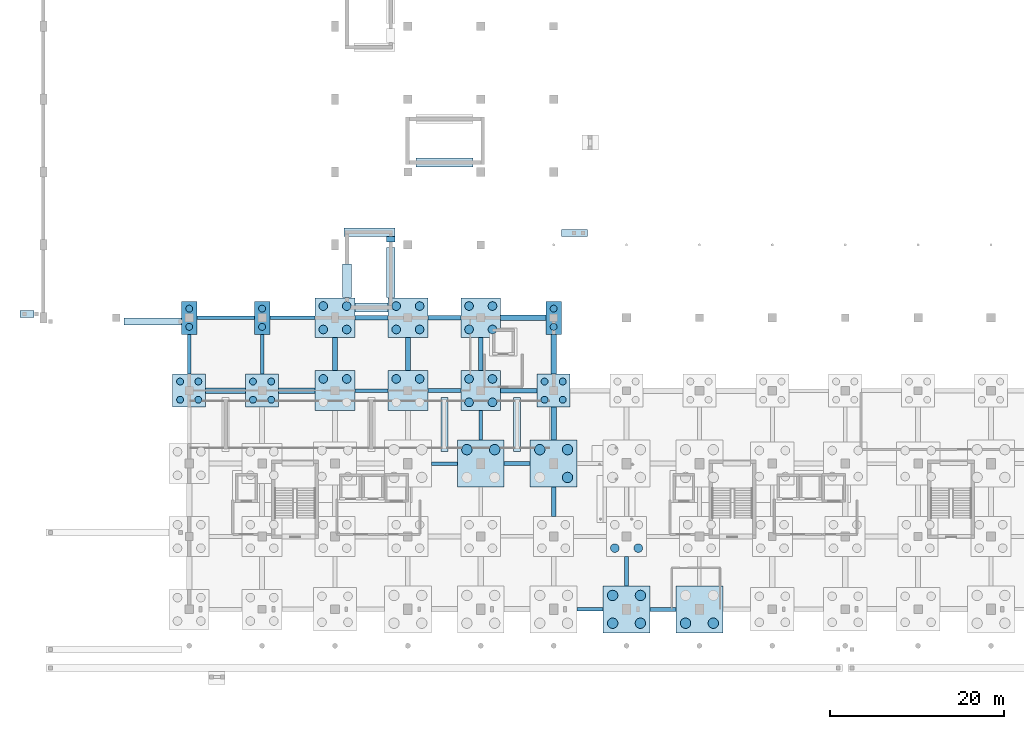
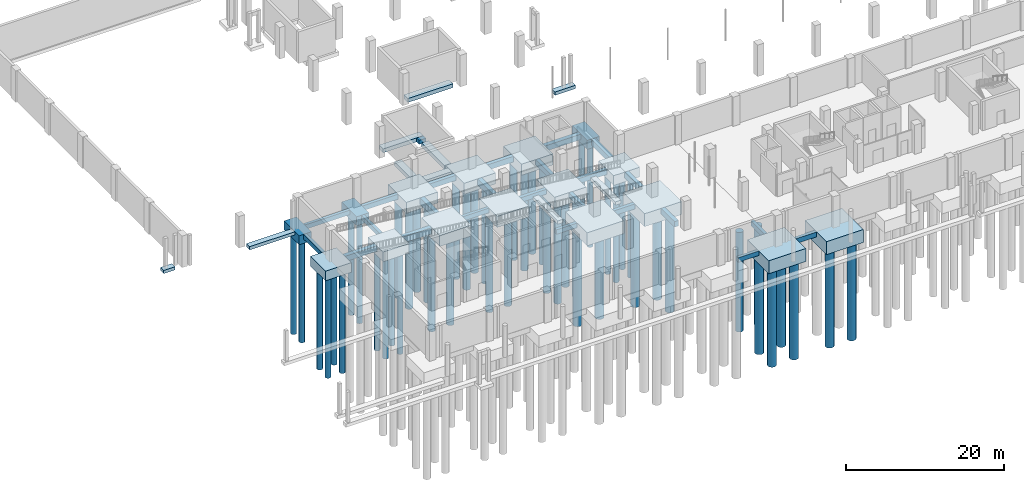
# One storey, part 2 of 39: 51 footings, 51 piles.
"""IFC4 building model written with IfcOpenShell, lengths in metres."""

from ifc_helpers import new_model, si_unit, derived_unit, direction, frame, origin, origin_2d, place, context, subcontext, project, spatial, polyline, rectangle, circle, outline, extrude, material, material_profile, profile_set, type_object, element, save


model = new_model("IFC4")

# Units and contexts
model_context = context("Model", 3, precision=1e-05, world=origin(), true_north=direction((0.0, 1.0)))
body_context = subcontext(model_context, "Body", "Model", "MODEL_VIEW")
ifc_project = project(units=[si_unit("LENGTHUNIT", "METRE"), si_unit("AREAUNIT", "SQUARE_METRE"), si_unit("VOLUMEUNIT", "CUBIC_METRE"), si_unit("PLANEANGLEUNIT", "RADIAN"), si_unit("MASSUNIT", "GRAM", prefix="KILO"), derived_unit("THERMALTRANSMITTANCEUNIT", [(si_unit("POWERUNIT", "WATT"), 1), (si_unit("LENGTHUNIT", "METRE"), -2), (si_unit("THERMODYNAMICTEMPERATUREUNIT", "KELVIN"), -1)])], contexts=[model_context])

# Site, building, storey
site_placement = place(None, origin())
site = spatial("IfcSite", under=ifc_project, at=site_placement, CompositionType="ELEMENT")
building_placement = place(site_placement, origin())
building = spatial("IfcBuilding", under=site, at=building_placement, Name="Barrovel Congress Hotel", CompositionType="ELEMENT")
storey_placement = place(building_placement, frame((0.0, 0.0, -4.5)))
storey = spatial("IfcBuildingStorey", under=building, at=storey_placement, Name="B01", CompositionType="ELEMENT", Elevation=-4.5)

# Footings
ifc_material_1 = material(Name="Concrete C40", Category="concrete")
footing_type_1 = type_object("IfcFootingType", Name="CAP-PC-04", PredefinedType="PILE_CAP", material=ifc_material_1)
for number, where, z_axis, x_axis, name in (
    (1, (16.800048828125, 37.800048828125, -1.760009765625), (0.0, 0.0, 1.0), (1.0, 0.0, 0.0), "CAP:B01:16.8:37.8"),
    (2, (25.199951171875, 37.800048828125, -1.760009765625), (0.0, 0.0, 1.0), (1.0, 0.0, 0.0), "CAP:B01:25.2:37.8"),
    (3, (58.800048828125, 37.800048828125, -1.760009765625), (0.0, 0.0, 1.0), (1.0, 0.0, 0.0), "CAP:B01:58.8:37.8"),
):
    element("IfcFooting", number, at=place(storey_placement, frame(where, z_axis=z_axis, x_axis=x_axis)), inside=storey, type_object=footing_type_1, Name=name, PredefinedType="PILE_CAP", context=body_context, shape_type="SweptSolid", body=[
        extrude(rectangle(XDim=1.800048828125, YDim=3.800048828125, at=origin_2d()), origin(), (0.0, 0.0, 1.0), 1.39990234375),
    ])
footing_type_2 = type_object("IfcFootingType", Name="CAP-PC-07", PredefinedType="PILE_CAP", material=ifc_material_1)
for number, where, z_axis, x_axis, name in (
    (4, (16.800048828125, 29.39990234375, -1.860107421875), (0.0, 0.0, 1.0), (1.0, 0.0, 0.0), "CAP:B01:16.8:29.4"),
    (5, (25.199951171875, 29.39990234375, -1.860107421875), (0.0, 0.0, 1.0), (1.0, 0.0, 0.0), "CAP:B01:25.2:29.4"),
    (6, (58.800048828125, 29.39990234375, -1.860107421875), (0.0, 0.0, 1.0), (1.0, 0.0, 0.0), "CAP:B01:58.8:29.4"),
):
    element("IfcFooting", number, at=place(storey_placement, frame(where, z_axis=z_axis, x_axis=x_axis)), inside=storey, type_object=footing_type_2, Name=name, PredefinedType="PILE_CAP", context=body_context, shape_type="SweptSolid", body=[
        extrude(rectangle(XDim=3.800048828125, YDim=3.800048828125, at=origin_2d()), origin(), (0.0, 0.0, 1.0), 1.5),
    ])
footing_type_3 = type_object("IfcFootingType", Name="CAP-PC-09", PredefinedType="PILE_CAP", material=ifc_material_1)
for number, where, z_axis, x_axis, name in (
    (7, (33.60009765625, 29.39990234375, -2.06005859375), (0.0, 0.0, 1.0), (1.0, 0.0, 0.0), "CAP:B01:33.6:29.4"),
    (8, (33.60009765625, 37.800048828125, -2.06005859375), (0.0, 0.0, 1.0), (1.0, 0.0, 0.0), "CAP:B01:33.6:37.8"),
    (9, (42.0, 29.39990234375, -2.06005859375), (0.0, 0.0, 1.0), (1.0, 0.0, 0.0), "CAP:B01:42.0:29.4"),
    (10, (42.0, 37.800048828125, -2.06005859375), (0.0, 0.0, 1.0), (1.0, 0.0, 0.0), "CAP:B01:42.0:37.8"),
    (11, (50.39990234375, 29.39990234375, -2.06005859375), (0.0, 0.0, 1.0), (1.0, 0.0, 0.0), "CAP:B01:50.4:29.4"),
    (12, (50.39990234375, 37.800048828125, -2.06005859375), (0.0, 0.0, 1.0), (1.0, 0.0, 0.0), "CAP:B01:50.4:37.8"),
):
    element("IfcFooting", number, at=place(storey_placement, frame(where, z_axis=z_axis, x_axis=x_axis)), inside=storey, type_object=footing_type_3, Name=name, PredefinedType="PILE_CAP", context=body_context, shape_type="SweptSolid", body=[
        extrude(rectangle(XDim=4.60009765625, YDim=4.60009765625, at=origin_2d()), origin(), (0.0, 0.0, 1.0), 1.699951171875),
    ])
footing_type_4 = type_object("IfcFootingType", Name="CAP-PC-11", PredefinedType="PILE_CAP", material=ifc_material_1)
for number, where, z_axis, x_axis, name in (
    (13, (50.39990234375, 21.0, -2.360107421875), (0.0, 0.0, 1.0), (1.0, 0.0, 0.0), "CAP:B01:50.4:21.0"),
    (14, (58.800048828125, 21.0, -2.360107421875), (0.0, 0.0, 1.0), (1.0, 0.0, 0.0), "CAP:B01:58.8:21.0"),
    (15, (67.199951171875, 4.199951171875, -2.360107421875), (0.0, 0.0, 1.0), (1.0, 0.0, 0.0), "CAP:B01:67.2:4.2"),
    (16, (75.60009765625, 4.199951171875, -2.360107421875), (0.0, 0.0, 1.0), (1.0, 0.0, 0.0), "CAP:B01:75.6:4.2"),
):
    element("IfcFooting", number, at=place(storey_placement, frame(where, z_axis=z_axis, x_axis=x_axis)), inside=storey, type_object=footing_type_4, Name=name, PredefinedType="PILE_CAP", context=body_context, shape_type="SweptSolid", body=[
        extrude(rectangle(XDim=5.39990234375, YDim=5.39990234375, at=origin_2d()), origin(), (0.0, 0.0, 1.0), 2.0),
    ])
footing_type_5 = type_object("IfcFootingType", Name="FB-400x700", PredefinedType="FOOTING_BEAM", material=ifc_material_1)
footing_1_placement = place(storey_placement, frame((0.0, 0.0, -1.06005859375)))
element("IfcFooting", 17, at=footing_1_placement, inside=storey, type_object=footing_type_5, Name="FBX:B01:4.2:58.8-67.2", PredefinedType="FOOTING_BEAM", context=body_context, shape_type="SweptSolid", body=[
    extrude(outline(polyline([(61.5, 4.0), (64.5, 4.0), (64.5, 4.39990234375), (61.5, 4.39990234375), (61.5, 4.0)])), origin(), (0.0, 0.0, 1.0), 0.699951171875),
])
footing_2_placement = place(storey_placement, frame((0.0, 0.0, -1.06005859375)))
element("IfcFooting", 18, at=footing_2_placement, inside=storey, type_object=footing_type_5, Name="FBX:B01:21.0:42.0-50.4", PredefinedType="FOOTING_BEAM", context=body_context, shape_type="SweptSolid", body=[
    extrude(outline(polyline([(44.699951171875, 20.800048828125), (47.699951171875, 20.800048828125), (47.699951171875, 21.199951171875), (44.699951171875, 21.199951171875), (44.699951171875, 20.800048828125)])), origin(), (0.0, 0.0, 1.0), 0.699951171875),
])
footing_3_placement = place(storey_placement, frame((0.0, 0.0, -1.06005859375)))
element("IfcFooting", 19, at=footing_3_placement, inside=storey, type_object=footing_type_5, Name="FBX:B01:29.4:33.6-42.0", PredefinedType="FOOTING_BEAM", context=body_context, shape_type="SweptSolid", body=[
    extrude(outline(polyline([(35.89990234375, 29.199951171875), (39.699951171875, 29.199951171875), (39.699951171875, 29.60009765625), (35.89990234375, 29.60009765625), (35.89990234375, 29.199951171875)])), origin(), (0.0, 0.0, 1.0), 0.699951171875),
])
footing_4_placement = place(storey_placement, frame((0.0, 0.0, -1.06005859375)))
element("IfcFooting", 20, at=footing_4_placement, inside=storey, type_object=footing_type_5, Name="FBX:B01:37.8:16.8-25.2", PredefinedType="FOOTING_BEAM", context=body_context, shape_type="SweptSolid", body=[
    extrude(outline(polyline([(17.699951171875, 37.60009765625), (24.300048828125, 37.60009765625), (24.300048828125, 38.0), (17.699951171875, 38.0), (17.699951171875, 37.60009765625)])), origin(), (0.0, 0.0, 1.0), 0.699951171875),
])
footing_5_placement = place(storey_placement, frame((0.0, 0.0, -1.06005859375)))
element("IfcFooting", 21, at=footing_5_placement, inside=storey, type_object=footing_type_5, Name="FBY:B01:25.2:29.4-37.8", PredefinedType="FOOTING_BEAM", context=body_context, shape_type="SweptSolid", body=[
    extrude(outline(polyline([(25.0, 31.300048828125), (25.39990234375, 31.300048828125), (25.39990234375, 35.89990234375), (25.0, 35.89990234375), (25.0, 31.300048828125)])), origin(), (0.0, 0.0, 1.0), 0.699951171875),
])
footing_type_6 = type_object("IfcFootingType", Name="FB-450x750", PredefinedType="FOOTING_BEAM", material=ifc_material_1)
footing_6_placement = place(storey_placement, frame((0.0, 0.0, -1.110107421875)))
element("IfcFooting", 22, at=footing_6_placement, inside=storey, type_object=footing_type_6, Name="FBX:B01:4.2:67.2-75.6", PredefinedType="FOOTING_BEAM", context=body_context, shape_type="SweptSolid", body=[
    extrude(outline(polyline([(69.89990234375, 3.97509765625), (72.89990234375, 3.97509765625), (72.89990234375, 4.425048828125), (69.89990234375, 4.425048828125), (69.89990234375, 3.97509765625)])), origin(), (0.0, 0.0, 1.0), 0.75),
])
footing_7_placement = place(storey_placement, frame((0.0, 0.0, -1.110107421875)))
element("IfcFooting", 23, at=footing_7_placement, inside=storey, type_object=footing_type_6, Name="FBX:B01:21.0:50.4-58.8", PredefinedType="FOOTING_BEAM", context=body_context, shape_type="SweptSolid", body=[
    extrude(outline(polyline([(53.10009765625, 20.77490234375), (56.10009765625, 20.77490234375), (56.10009765625, 21.22509765625), (53.10009765625, 21.22509765625), (53.10009765625, 20.77490234375)])), origin(), (0.0, 0.0, 1.0), 0.75),
])
footing_8_placement = place(storey_placement, frame((0.0, 0.0, -1.110107421875)))
element("IfcFooting", 24, at=footing_8_placement, inside=storey, type_object=footing_type_6, Name="FBX:B01:29.4:42.0-50.4", PredefinedType="FOOTING_BEAM", context=body_context, shape_type="SweptSolid", body=[
    extrude(outline(polyline([(44.300048828125, 29.175048828125), (48.10009765625, 29.175048828125), (48.10009765625, 29.625), (44.300048828125, 29.625), (44.300048828125, 29.175048828125)])), origin(), (0.0, 0.0, 1.0), 0.75),
])
footing_9_placement = place(storey_placement, frame((0.0, 0.0, -1.110107421875)))
element("IfcFooting", 25, at=footing_9_placement, inside=storey, type_object=footing_type_6, Name="FBX:B01:37.8:25.2-33.6", PredefinedType="FOOTING_BEAM", context=body_context, shape_type="SweptSolid", body=[
    extrude(outline(polyline([(26.10009765625, 37.574951171875), (31.300048828125, 37.574951171875), (31.300048828125, 38.02490234375), (26.10009765625, 38.02490234375), (26.10009765625, 37.574951171875)])), origin(), (0.0, 0.0, 1.0), 0.75),
])
footing_10_placement = place(storey_placement, frame((0.0, 0.0, -1.110107421875)))
element("IfcFooting", 26, at=footing_10_placement, inside=storey, type_object=footing_type_6, Name="FBY:B01:16.8:29.4-37.8", PredefinedType="FOOTING_BEAM", context=body_context, shape_type="SweptSolid", body=[
    extrude(outline(polyline([(16.574951171875, 31.300048828125), (17.02490234375, 31.300048828125), (17.02490234375, 35.89990234375), (16.574951171875, 35.89990234375), (16.574951171875, 31.300048828125)])), origin(), (0.0, 0.0, 1.0), 0.75),
])
footing_11_placement = place(storey_placement, frame((0.0, 0.0, -1.110107421875)))
element("IfcFooting", 27, at=footing_11_placement, inside=storey, type_object=footing_type_6, Name="FBY:B01:50.4:21.0-29.4", PredefinedType="FOOTING_BEAM", context=body_context, shape_type="SweptSolid", body=[
    extrude(outline(polyline([(50.175048828125, 23.699951171875), (50.625, 23.699951171875), (50.625, 27.10009765625), (50.175048828125, 27.10009765625), (50.175048828125, 23.699951171875)])), origin(), (0.0, 0.0, 1.0), 0.75),
])
footing_12_placement = place(storey_placement, frame((0.0, 0.0, -1.110107421875)))
element("IfcFooting", 28, at=footing_12_placement, inside=storey, type_object=footing_type_6, Name="FBY:B01:67.2:4.2-12.6", PredefinedType="FOOTING_BEAM", context=body_context, shape_type="SweptSolid", body=[
    extrude(outline(polyline([(66.97509765625, 6.89990234375), (67.425048828125, 6.89990234375), (67.425048828125, 10.300048828125), (66.97509765625, 10.300048828125), (66.97509765625, 6.89990234375)])), origin(), (0.0, 0.0, 1.0), 0.75),
])
footing_type_7 = type_object("IfcFootingType", Name="FB-500x800", PredefinedType="FOOTING_BEAM", material=ifc_material_1)
footing_13_placement = place(storey_placement, frame((0.0, 0.0, -1.159912109375)))
element("IfcFooting", 29, at=footing_13_placement, inside=storey, type_object=footing_type_7, Name="FBX:B01:29.4:50.4-58.8", PredefinedType="FOOTING_BEAM", context=body_context, shape_type="SweptSolid", body=[
    extrude(outline(polyline([(52.699951171875, 29.14990234375), (56.89990234375, 29.14990234375), (56.89990234375, 29.64990234375), (52.699951171875, 29.64990234375), (52.699951171875, 29.14990234375)])), origin(), (0.0, 0.0, 1.0), 0.7998046875),
])
footing_14_placement = place(storey_placement, frame((0.0, 0.0, -1.159912109375)))
element("IfcFooting", 30, at=footing_14_placement, inside=storey, type_object=footing_type_7, Name="FBX:B01:37.8:33.6-42.0", PredefinedType="FOOTING_BEAM", context=body_context, shape_type="SweptSolid", body=[
    extrude(outline(polyline([(35.89990234375, 37.550048828125), (39.699951171875, 37.550048828125), (39.699951171875, 38.050048828125), (35.89990234375, 38.050048828125), (35.89990234375, 37.550048828125)])), origin(), (0.0, 0.0, 1.0), 0.7998046875),
])
footing_15_placement = place(storey_placement, frame((0.0, 0.0, -1.159912109375)))
element("IfcFooting", 31, at=footing_15_placement, inside=storey, type_object=footing_type_7, Name="FBY:B01:50.4:29.4-37.8", PredefinedType="FOOTING_BEAM", context=body_context, shape_type="SweptSolid", body=[
    extrude(outline(polyline([(50.14990234375, 31.699951171875), (50.64990234375, 31.699951171875), (50.64990234375, 35.5), (50.14990234375, 35.5), (50.14990234375, 31.699951171875)])), origin(), (0.0, 0.0, 1.0), 0.7998046875),
])
footing_type_8 = type_object("IfcFootingType", Name="FB-550x850", PredefinedType="FOOTING_BEAM", material=ifc_material_1)
footing_16_placement = place(storey_placement, frame((0.0, 0.0, -1.2099609375)))
element("IfcFooting", 32, at=footing_16_placement, inside=storey, type_object=footing_type_8, Name="FBX:B01:37.8:42.0-50.4", PredefinedType="FOOTING_BEAM", context=body_context, shape_type="SweptSolid", body=[
    extrude(outline(polyline([(44.300048828125, 37.52490234375), (48.10009765625, 37.52490234375), (48.10009765625, 38.074951171875), (44.300048828125, 38.074951171875), (44.300048828125, 37.52490234375)])), origin(), (0.0, 0.0, 1.0), 0.849853515625),
])
footing_17_placement = place(storey_placement, frame((0.0, 0.0, -1.2099609375)))
element("IfcFooting", 33, at=footing_17_placement, inside=storey, type_object=footing_type_8, Name="FBY:B01:58.8:12.6-21.0", PredefinedType="FOOTING_BEAM", context=body_context, shape_type="SweptSolid", body=[
    extrude(outline(polyline([(58.52490234375, 14.89990234375), (59.074951171875, 14.89990234375), (59.074951171875, 18.300048828125), (58.52490234375, 18.300048828125), (58.52490234375, 14.89990234375)])), origin(), (0.0, 0.0, 1.0), 0.849853515625),
])
footing_type_9 = type_object("IfcFootingType", Name="FB-600x850", PredefinedType="FOOTING_BEAM", material=ifc_material_1)
footing_18_placement = place(storey_placement, frame((0.0, 0.0, -1.2099609375)))
element("IfcFooting", 34, at=footing_18_placement, inside=storey, type_object=footing_type_9, Name="FBX:B01:29.4:16.8-25.2", PredefinedType="FOOTING_BEAM", context=body_context, shape_type="SweptSolid", body=[
    extrude(outline(polyline([(18.699951171875, 29.10009765625), (23.300048828125, 29.10009765625), (23.300048828125, 29.699951171875), (18.699951171875, 29.699951171875), (18.699951171875, 29.10009765625)])), origin(), (0.0, 0.0, 1.0), 0.849853515625),
])
footing_19_placement = place(storey_placement, frame((0.0, 0.0, -1.2099609375)))
element("IfcFooting", 35, at=footing_19_placement, inside=storey, type_object=footing_type_9, Name="FBX:B01:37.8:50.4-58.8", PredefinedType="FOOTING_BEAM", context=body_context, shape_type="SweptSolid", body=[
    extrude(outline(polyline([(52.699951171875, 37.5), (57.89990234375, 37.5), (57.89990234375, 38.10009765625), (52.699951171875, 38.10009765625), (52.699951171875, 37.5)])), origin(), (0.0, 0.0, 1.0), 0.849853515625),
])
footing_20_placement = place(storey_placement, frame((0.0, 0.0, -1.2099609375)))
element("IfcFooting", 36, at=footing_20_placement, inside=storey, type_object=footing_type_9, Name="FBY:B01:58.8:21.0-29.4", PredefinedType="FOOTING_BEAM", context=body_context, shape_type="SweptSolid", body=[
    extrude(outline(polyline([(58.5, 23.699951171875), (59.10009765625, 23.699951171875), (59.10009765625, 27.5), (58.5, 27.5), (58.5, 23.699951171875)])), origin(), (0.0, 0.0, 1.0), 0.849853515625),
])
footing_type_10 = type_object("IfcFootingType", Name="FB-600x950", PredefinedType="FOOTING_BEAM", material=ifc_material_1)
footing_21_placement = place(storey_placement, frame((0.0, 0.0, -1.31005859375)))
element("IfcFooting", 37, at=footing_21_placement, inside=storey, type_object=footing_type_10, Name="FBX:B01:29.4:25.2-33.6", PredefinedType="FOOTING_BEAM", context=body_context, shape_type="SweptSolid", body=[
    extrude(outline(polyline([(27.10009765625, 29.10009765625), (31.300048828125, 29.10009765625), (31.300048828125, 29.699951171875), (27.10009765625, 29.699951171875), (27.10009765625, 29.10009765625)])), origin(), (0.0, 0.0, 1.0), 0.949951171875),
])
footing_22_placement = place(storey_placement, frame((0.0, 0.0, -1.31005859375)))
element("IfcFooting", 38, at=footing_22_placement, inside=storey, type_object=footing_type_10, Name="FBY:B01:33.6:29.4-37.8", PredefinedType="FOOTING_BEAM", context=body_context, shape_type="SweptSolid", body=[
    extrude(outline(polyline([(33.300048828125, 31.699951171875), (33.89990234375, 31.699951171875), (33.89990234375, 35.5), (33.300048828125, 35.5), (33.300048828125, 31.699951171875)])), origin(), (0.0, 0.0, 1.0), 0.949951171875),
])
footing_23_placement = place(storey_placement, frame((0.0, 0.0, -1.31005859375)))
element("IfcFooting", 39, at=footing_23_placement, inside=storey, type_object=footing_type_10, Name="FBY:B01:42.0:29.4-37.8", PredefinedType="FOOTING_BEAM", context=body_context, shape_type="SweptSolid", body=[
    extrude(outline(polyline([(41.699951171875, 31.699951171875), (42.300048828125, 31.699951171875), (42.300048828125, 35.5), (41.699951171875, 35.5), (41.699951171875, 31.699951171875)])), origin(), (0.0, 0.0, 1.0), 0.949951171875),
])
footing_24_placement = place(storey_placement, frame((0.0, 0.0, -1.31005859375)))
element("IfcFooting", 40, at=footing_24_placement, inside=storey, type_object=footing_type_10, Name="FBY:B01:58.8:29.4-37.8", PredefinedType="FOOTING_BEAM", context=body_context, shape_type="SweptSolid", body=[
    extrude(outline(polyline([(58.5, 31.300048828125), (59.10009765625, 31.300048828125), (59.10009765625, 35.89990234375), (58.5, 35.89990234375), (58.5, 31.300048828125)])), origin(), (0.0, 0.0, 1.0), 0.949951171875),
])

# Piles
ifc_material_2 = material(Name="Concrete C35", Category="concrete")
ifc_material_profile_1 = material_profile(ifc_material_2, circle(Radius=0.5, at=origin_2d()), Name="BP-D1000")
ifc_profile_set_1 = profile_set([ifc_material_profile_1], Name="Concrete C35")
pile_type_1 = type_object("IfcPileType", Name="PILE-BP-D1000", PredefinedType="BORED", material=ifc_profile_set_1)
for number, where, z_axis, x_axis, name in (
    (41, (32.25, 30.75, -2.06005859375), (0.0, 0.0, -1.0), (1.0, 0.0, 0.0), "PILE:B01:33.6:29.4:3"),
    (42, (34.949951171875, 30.75, -2.06005859375), (0.0, 0.0, -1.0), (1.0, 0.0, 0.0), "PILE:B01:33.6:29.4:4"),
    (43, (32.25, 36.449951171875, -2.06005859375), (0.0, 0.0, -1.0), (1.0, 0.0, 0.0), "PILE:B01:33.6:37.8:1"),
    (44, (34.949951171875, 36.449951171875, -2.06005859375), (0.0, 0.0, -1.0), (1.0, 0.0, 0.0), "PILE:B01:33.6:37.8:2"),
    (45, (32.25, 39.14990234375, -2.06005859375), (0.0, 0.0, -1.0), (1.0, 0.0, 0.0), "PILE:B01:33.6:37.8:3"),
    (46, (34.949951171875, 39.14990234375, -2.06005859375), (0.0, 0.0, -1.0), (1.0, 0.0, 0.0), "PILE:B01:33.6:37.8:4"),
    (47, (40.64990234375, 30.75, -2.06005859375), (0.0, 0.0, -1.0), (1.0, 0.0, 0.0), "PILE:B01:42.0:29.4:3"),
    (48, (43.35009765625, 30.75, -2.06005859375), (0.0, 0.0, -1.0), (1.0, 0.0, 0.0), "PILE:B01:42.0:29.4:4"),
    (49, (40.64990234375, 36.449951171875, -2.06005859375), (0.0, 0.0, -1.0), (1.0, 0.0, 0.0), "PILE:B01:42.0:37.8:1"),
    (50, (43.35009765625, 36.449951171875, -2.06005859375), (0.0, 0.0, -1.0), (1.0, 0.0, 0.0), "PILE:B01:42.0:37.8:2"),
    (51, (40.64990234375, 39.14990234375, -2.06005859375), (0.0, 0.0, -1.0), (1.0, 0.0, 0.0), "PILE:B01:42.0:37.8:3"),
    (52, (43.35009765625, 39.14990234375, -2.06005859375), (0.0, 0.0, -1.0), (1.0, 0.0, 0.0), "PILE:B01:42.0:37.8:4"),
    (53, (49.050048828125, 28.050048828125, -2.06005859375), (0.0, 0.0, -1.0), (1.0, 0.0, 0.0), "PILE:B01:50.4:29.4:1"),
    (54, (51.75, 28.050048828125, -2.06005859375), (0.0, 0.0, -1.0), (1.0, 0.0, 0.0), "PILE:B01:50.4:29.4:2"),
    (55, (49.050048828125, 30.75, -2.06005859375), (0.0, 0.0, -1.0), (1.0, 0.0, 0.0), "PILE:B01:50.4:29.4:3"),
    (56, (51.75, 30.75, -2.06005859375), (0.0, 0.0, -1.0), (1.0, 0.0, 0.0), "PILE:B01:50.4:29.4:4"),
    (57, (49.050048828125, 36.449951171875, -2.06005859375), (0.0, 0.0, -1.0), (1.0, 0.0, 0.0), "PILE:B01:50.4:37.8:1"),
    (58, (51.75, 36.449951171875, -2.06005859375), (0.0, 0.0, -1.0), (1.0, 0.0, 0.0), "PILE:B01:50.4:37.8:2"),
    (59, (49.050048828125, 39.14990234375, -2.06005859375), (0.0, 0.0, -1.0), (1.0, 0.0, 0.0), "PILE:B01:50.4:37.8:3"),
    (60, (51.75, 39.14990234375, -2.06005859375), (0.0, 0.0, -1.0), (1.0, 0.0, 0.0), "PILE:B01:50.4:37.8:4"),
    (61, (65.85009765625, 11.25, -2.06005859375), (0.0, 0.0, -1.0), (1.0, 0.0, 0.0), "PILE:B01:67.2:12.6:1"),
    (62, (68.550048828125, 11.25, -2.06005859375), (0.0, 0.0, -1.0), (1.0, 0.0, 0.0), "PILE:B01:67.2:12.6:2"),
):
    element("IfcPile", number, at=place(storey_placement, frame(where, z_axis=z_axis, x_axis=x_axis)), inside=storey, type_object=pile_type_1, Name=name, PredefinedType="BORED", context=body_context, shape_type="SweptSolid", body=[
        extrude(circle(Radius=0.5, at=origin_2d()), origin(), (0.0, 0.0, 1.0), 15.340087890625),
    ])
ifc_material_profile_2 = material_profile(ifc_material_2, circle(Radius=0.60009765625, at=origin_2d()), Name="BP-D1200")
ifc_profile_set_2 = profile_set([ifc_material_profile_2], Name="Concrete C35")
pile_type_2 = type_object("IfcPileType", Name="PILE-BP-D1200", PredefinedType="BORED", material=ifc_profile_set_2)
for number, where, z_axis, x_axis, name in (
    (63, (48.800048828125, 22.60009765625, -2.360107421875), (0.0, 0.0, -1.0), (1.0, 0.0, 0.0), "PILE:B01:50.4:21.0:3"),
    (64, (52.0, 22.60009765625, -2.360107421875), (0.0, 0.0, -1.0), (1.0, 0.0, 0.0), "PILE:B01:50.4:21.0:4"),
    (65, (60.39990234375, 19.39990234375, -2.360107421875), (0.0, 0.0, -1.0), (1.0, 0.0, 0.0), "PILE:B01:58.8:21.0:2"),
    (66, (57.199951171875, 22.60009765625, -2.360107421875), (0.0, 0.0, -1.0), (1.0, 0.0, 0.0), "PILE:B01:58.8:21.0:3"),
    (67, (60.39990234375, 22.60009765625, -2.360107421875), (0.0, 0.0, -1.0), (1.0, 0.0, 0.0), "PILE:B01:58.8:21.0:4"),
    (68, (65.60009765625, 2.60009765625, -2.360107421875), (0.0, 0.0, -1.0), (1.0, 0.0, 0.0), "PILE:B01:67.2:4.2:1"),
    (69, (68.800048828125, 2.60009765625, -2.360107421875), (0.0, 0.0, -1.0), (1.0, 0.0, 0.0), "PILE:B01:67.2:4.2:2"),
    (70, (65.60009765625, 5.800048828125, -2.360107421875), (0.0, 0.0, -1.0), (1.0, 0.0, 0.0), "PILE:B01:67.2:4.2:3"),
    (71, (68.800048828125, 5.800048828125, -2.360107421875), (0.0, 0.0, -1.0), (1.0, 0.0, 0.0), "PILE:B01:67.2:4.2:4"),
    (72, (74.0, 2.60009765625, -2.360107421875), (0.0, 0.0, -1.0), (1.0, 0.0, 0.0), "PILE:B01:75.6:4.2:1"),
    (73, (77.199951171875, 2.60009765625, -2.360107421875), (0.0, 0.0, -1.0), (1.0, 0.0, 0.0), "PILE:B01:75.6:4.2:2"),
):
    element("IfcPile", number, at=place(storey_placement, frame(where, z_axis=z_axis, x_axis=x_axis)), inside=storey, type_object=pile_type_2, Name=name, PredefinedType="BORED", context=body_context, shape_type="SweptSolid", body=[
        extrude(circle(Radius=0.60009765625, at=origin_2d()), origin(), (0.0, 0.0, 1.0), 15.0400390625),
    ])
ifc_material_profile_3 = material_profile(ifc_material_2, circle(Radius=0.39990234375, at=origin_2d()), Name="BP-D800")
ifc_profile_set_3 = profile_set([ifc_material_profile_3], Name="Concrete C35")
pile_type_3 = type_object("IfcPileType", Name="PILE-BP-D800", PredefinedType="BORED", material=ifc_profile_set_3)
for number, where, z_axis, x_axis, name in (
    (74, (15.75, 28.35009765625, -1.860107421875), (0.0, 0.0, -1.0), (1.0, 0.0, 0.0), "PILE:B01:16.8:29.4:1"),
    (75, (17.85009765625, 28.35009765625, -1.860107421875), (0.0, 0.0, -1.0), (1.0, 0.0, 0.0), "PILE:B01:16.8:29.4:2"),
    (76, (15.75, 30.449951171875, -1.860107421875), (0.0, 0.0, -1.0), (1.0, 0.0, 0.0), "PILE:B01:16.8:29.4:3"),
    (77, (17.85009765625, 30.449951171875, -1.860107421875), (0.0, 0.0, -1.0), (1.0, 0.0, 0.0), "PILE:B01:16.8:29.4:4"),
):
    element("IfcPile", number, at=place(storey_placement, frame(where, z_axis=z_axis, x_axis=x_axis)), inside=storey, type_object=pile_type_3, Name=name, PredefinedType="BORED", context=body_context, shape_type="SweptSolid", body=[
        extrude(circle(Radius=0.39990234375, at=origin_2d()), origin(), (0.0, 0.0, 1.0), 15.5400390625),
    ])
for number, where, z_axis, x_axis, name in (
    (78, (16.800048828125, 36.75, -1.760009765625), (0.0, 0.0, -1.0), (1.0, 0.0, 0.0), "PILE:B01:16.8:37.8:1"),
    (79, (16.800048828125, 38.85009765625, -1.760009765625), (0.0, 0.0, -1.0), (1.0, 0.0, 0.0), "PILE:B01:16.8:37.8:2"),
):
    element("IfcPile", number, at=place(storey_placement, frame(where, z_axis=z_axis, x_axis=x_axis)), inside=storey, type_object=pile_type_3, Name=name, PredefinedType="BORED", context=body_context, shape_type="SweptSolid", body=[
        extrude(circle(Radius=0.39990234375, at=origin_2d()), origin(), (0.0, 0.0, 1.0), 15.639892578125),
    ])
for number, where, z_axis, x_axis, name in (
    (80, (24.14990234375, 28.35009765625, -1.860107421875), (0.0, 0.0, -1.0), (1.0, 0.0, 0.0), "PILE:B01:25.2:29.4:1"),
    (81, (26.25, 28.35009765625, -1.860107421875), (0.0, 0.0, -1.0), (1.0, 0.0, 0.0), "PILE:B01:25.2:29.4:2"),
    (82, (24.14990234375, 30.449951171875, -1.860107421875), (0.0, 0.0, -1.0), (1.0, 0.0, 0.0), "PILE:B01:25.2:29.4:3"),
    (83, (26.25, 30.449951171875, -1.860107421875), (0.0, 0.0, -1.0), (1.0, 0.0, 0.0), "PILE:B01:25.2:29.4:4"),
):
    element("IfcPile", number, at=place(storey_placement, frame(where, z_axis=z_axis, x_axis=x_axis)), inside=storey, type_object=pile_type_3, Name=name, PredefinedType="BORED", context=body_context, shape_type="SweptSolid", body=[
        extrude(circle(Radius=0.39990234375, at=origin_2d()), origin(), (0.0, 0.0, 1.0), 15.5400390625),
    ])
for number, where, z_axis, x_axis, name in (
    (84, (25.199951171875, 36.75, -1.760009765625), (0.0, 0.0, -1.0), (1.0, 0.0, 0.0), "PILE:B01:25.2:37.8:1"),
    (85, (25.199951171875, 38.85009765625, -1.760009765625), (0.0, 0.0, -1.0), (1.0, 0.0, 0.0), "PILE:B01:25.2:37.8:2"),
):
    element("IfcPile", number, at=place(storey_placement, frame(where, z_axis=z_axis, x_axis=x_axis)), inside=storey, type_object=pile_type_3, Name=name, PredefinedType="BORED", context=body_context, shape_type="SweptSolid", body=[
        extrude(circle(Radius=0.39990234375, at=origin_2d()), origin(), (0.0, 0.0, 1.0), 15.639892578125),
    ])
for number, where, z_axis, x_axis, name in (
    (86, (57.75, 28.35009765625, -1.860107421875), (0.0, 0.0, -1.0), (1.0, 0.0, 0.0), "PILE:B01:58.8:29.4:1"),
    (87, (59.85009765625, 28.35009765625, -1.860107421875), (0.0, 0.0, -1.0), (1.0, 0.0, 0.0), "PILE:B01:58.8:29.4:2"),
    (88, (57.75, 30.449951171875, -1.860107421875), (0.0, 0.0, -1.0), (1.0, 0.0, 0.0), "PILE:B01:58.8:29.4:3"),
    (89, (59.85009765625, 30.449951171875, -1.860107421875), (0.0, 0.0, -1.0), (1.0, 0.0, 0.0), "PILE:B01:58.8:29.4:4"),
):
    element("IfcPile", number, at=place(storey_placement, frame(where, z_axis=z_axis, x_axis=x_axis)), inside=storey, type_object=pile_type_3, Name=name, PredefinedType="BORED", context=body_context, shape_type="SweptSolid", body=[
        extrude(circle(Radius=0.39990234375, at=origin_2d()), origin(), (0.0, 0.0, 1.0), 15.5400390625),
    ])
for number, where, z_axis, x_axis, name in (
    (90, (58.800048828125, 36.75, -1.760009765625), (0.0, 0.0, -1.0), (1.0, 0.0, 0.0), "PILE:B01:58.8:37.8:1"),
    (91, (58.800048828125, 38.85009765625, -1.760009765625), (0.0, 0.0, -1.0), (1.0, 0.0, 0.0), "PILE:B01:58.8:37.8:2"),
):
    element("IfcPile", number, at=place(storey_placement, frame(where, z_axis=z_axis, x_axis=x_axis)), inside=storey, type_object=pile_type_3, Name=name, PredefinedType="BORED", context=body_context, shape_type="SweptSolid", body=[
        extrude(circle(Radius=0.39990234375, at=origin_2d()), origin(), (0.0, 0.0, 1.0), 15.639892578125),
    ])

# Footings
footing_type_11 = type_object("IfcFootingType", Name="SF-1000x600", PredefinedType="STRIP_FOOTING", material=ifc_material_1)
footing_25_placement = place(storey_placement, frame((0.0, 0.0, -0.9599609375)))
element("IfcFooting", 92, at=footing_25_placement, inside=storey, type_object=footing_type_11, Name="SF:CORE:XS-05:S", PredefinedType="STRIP_FOOTING", context=body_context, shape_type="SweptSolid", body=[
    extrude(outline(polyline([(42.909912109375, 55.18994140625), (49.489990234375, 55.18994140625), (49.489990234375, 56.18994140625), (42.909912109375, 56.18994140625), (42.909912109375, 55.18994140625)])), origin(), (0.0, 0.0, 1.0), 0.599853515625),
])
footing_26_placement = place(storey_placement, frame((0.0, 0.0, -0.9599609375)))
element("IfcFooting", 93, at=footing_26_placement, inside=storey, type_object=footing_type_11, Name="SF:CORE:XS-08:S", PredefinedType="STRIP_FOOTING", context=body_context, shape_type="SweptSolid", body=[
    extrude(outline(polyline([(35.909912109375, 38.489990234375), (39.68994140625, 38.489990234375), (39.68994140625, 39.489990234375), (35.909912109375, 39.489990234375), (35.909912109375, 38.489990234375)])), origin(), (0.0, 0.0, 1.0), 0.599853515625),
])
footing_27_placement = place(storey_placement, frame((0.0, 0.0, -0.9599609375)))
element("IfcFooting", 94, at=footing_27_placement, inside=storey, type_object=footing_type_11, Name="SF:CORE:XS-08:N", PredefinedType="STRIP_FOOTING", context=body_context, shape_type="SweptSolid", body=[
    extrude(outline(polyline([(34.659912109375, 47.14990234375), (40.510009765625, 47.14990234375), (40.510009765625, 48.14990234375), (34.659912109375, 48.14990234375), (34.659912109375, 47.14990234375)])), origin(), (0.0, 0.0, 1.0), 0.599853515625),
])
footing_28_placement = place(storey_placement, frame((0.0, 0.0, -0.9599609375)))
element("IfcFooting", 95, at=footing_28_placement, inside=storey, type_object=footing_type_11, Name="SF:CORE:XS-08:W", PredefinedType="STRIP_FOOTING", context=body_context, shape_type="SweptSolid", body=[
    extrude(outline(polyline([(34.489990234375, 40.110107421875), (35.489990234375, 40.110107421875), (35.489990234375, 43.989990234375), (34.489990234375, 43.989990234375), (34.489990234375, 40.110107421875)])), origin(), (0.0, 0.0, 1.0), 0.599853515625),
])
footing_29_placement = place(storey_placement, frame((0.0, 0.0, -0.9599609375)))
element("IfcFooting", 96, at=footing_29_placement, inside=storey, type_object=footing_type_11, Name="SF:CORE:XS-08:E:1", PredefinedType="STRIP_FOOTING", context=body_context, shape_type="SweptSolid", body=[
    extrude(outline(polyline([(39.510009765625, 40.110107421875), (40.510009765625, 40.110107421875), (40.510009765625, 45.889892578125), (39.510009765625, 45.889892578125), (39.510009765625, 40.110107421875)])), origin(), (0.0, 0.0, 1.0), 0.599853515625),
])
footing_30_placement = place(storey_placement, frame((0.0, 0.0, -0.9599609375)))
element("IfcFooting", 97, at=footing_30_placement, inside=storey, type_object=footing_type_11, Name="SF:CORE:XS-08:E:2", PredefinedType="STRIP_FOOTING", context=body_context, shape_type="SweptSolid", body=[
    extrude(outline(polyline([(39.510009765625, 46.510009765625), (40.510009765625, 46.510009765625), (40.510009765625, 47.139892578125), (39.510009765625, 47.139892578125), (39.510009765625, 46.510009765625)])), origin(), (0.0, 0.0, 1.0), 0.599853515625),
])
footing_type_12 = type_object("IfcFootingType", Name="SF-800x500", PredefinedType="STRIP_FOOTING", material=ifc_material_1)
footing_31_placement = place(storey_placement, frame((0.0, 0.0, -0.860107421875)))
element("IfcFooting", 98, at=footing_31_placement, inside=storey, type_object=footing_type_12, Name="SF:PAV-WEST-APRON:B", PredefinedType="STRIP_FOOTING", context=body_context, shape_type="SweptSolid", body=[
    extrude(outline(polyline([(9.31005859375, 36.949951171875), (15.889892578125, 36.949951171875), (15.889892578125, 37.75), (9.31005859375, 37.75), (9.31005859375, 36.949951171875)])), origin(), (0.0, 0.0, 1.0), 0.5),
])
footing_32_placement = place(storey_placement, frame((0.0, 0.0, -0.860107421875)))
element("IfcFooting", 99, at=footing_32_placement, inside=storey, type_object=footing_type_12, Name="SF:PAV-WEST-NAVE:A", PredefinedType="STRIP_FOOTING", context=body_context, shape_type="SweptSolid", body=[
    extrude(outline(polyline([(-2.699951171875, 37.85009765625), (-1.06005859375, 37.85009765625), (-1.06005859375, 38.64990234375), (-2.699951171875, 38.64990234375), (-2.699951171875, 37.85009765625)])), origin(), (0.0, 0.0, 1.0), 0.5),
])
footing_33_placement = place(storey_placement, frame((0.0, 0.0, -0.860107421875)))
element("IfcFooting", 100, at=footing_33_placement, inside=storey, type_object=footing_type_12, Name="SF:PAV-COURT-WALK-W:A", PredefinedType="STRIP_FOOTING", context=body_context, shape_type="SweptSolid", body=[
    extrude(outline(polyline([(59.7099609375, 47.14990234375), (62.699951171875, 47.14990234375), (62.699951171875, 47.949951171875), (59.7099609375, 47.949951171875), (59.7099609375, 47.14990234375)])), origin(), (0.0, 0.0, 1.0), 0.5),
])
footing_34_placement = place(storey_placement, frame((0.0, 0.0, -0.860107421875)))
element("IfcFooting", 101, at=footing_34_placement, inside=storey, type_object=footing_type_12, Name="SF:R01:1", PredefinedType="STRIP_FOOTING", context=body_context, shape_type="SweptSolid", body=[
    extrude(outline(polyline([(54.199951171875, 22.39990234375), (55.0, 22.39990234375), (55.0, 28.60009765625), (54.199951171875, 28.60009765625), (54.199951171875, 22.39990234375)])), origin(), (0.0, 0.0, 1.0), 0.5),
])
footing_35_placement = place(storey_placement, frame((0.0, 0.0, -0.860107421875)))
element("IfcFooting", 102, at=footing_35_placement, inside=storey, type_object=footing_type_12, Name="SF:R01:2", PredefinedType="STRIP_FOOTING", context=body_context, shape_type="SweptSolid", body=[
    extrude(outline(polyline([(45.800048828125, 22.39990234375), (46.60009765625, 22.39990234375), (46.60009765625, 28.60009765625), (45.800048828125, 28.60009765625), (45.800048828125, 22.39990234375)])), origin(), (0.0, 0.0, 1.0), 0.5),
])

save(model, "model.ifc")
